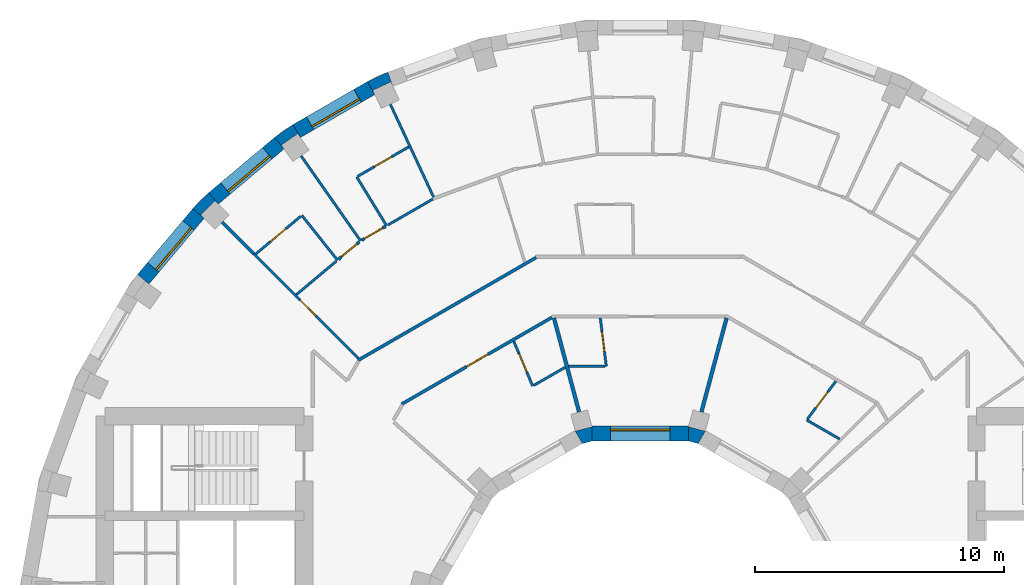
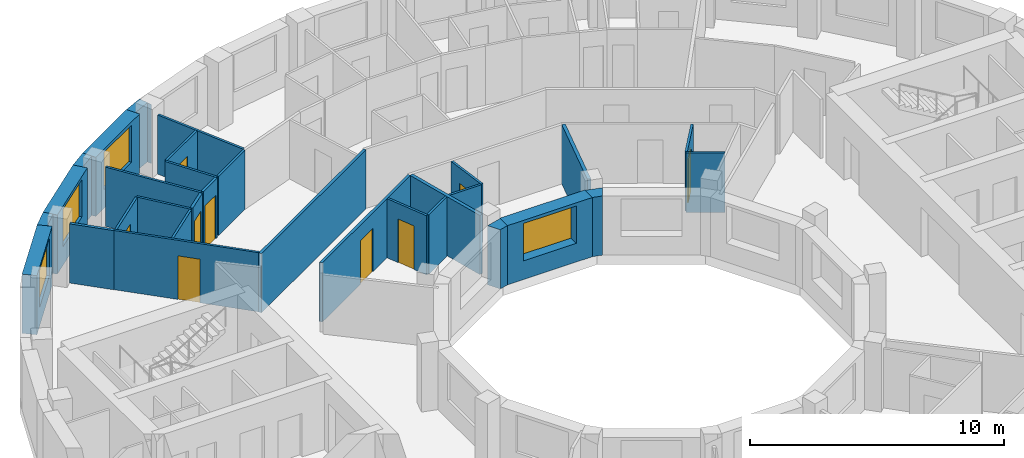
# One storey, part 11 of 15: 31 walls, 9 doors, 4 windows, 13 openings.
"""IFC4 building model written with IfcOpenShell, lengths in metres."""

from ifc_helpers import new_model, si_unit, direction, frame, frame_2d, origin, place, context, subcontext, project, spatial, polyline, rectangle, outline, extrude, material, layer, layer_set, type_object, element, fill, save


model = new_model("IFC4")

# Units and contexts
model_context = context("Model", 3, precision=1e-05, world=origin(), true_north=direction((0.0, 1.0)))
body_context = subcontext(model_context, "Body", "Model", "MODEL_VIEW")
ifc_project = project(units=[si_unit("LENGTHUNIT", "METRE"), si_unit("AREAUNIT", "SQUARE_METRE"), si_unit("VOLUMEUNIT", "CUBIC_METRE"), si_unit("PLANEANGLEUNIT", "RADIAN"), si_unit("MASSUNIT", "GRAM", prefix="KILO")], contexts=[model_context])

# Site, building, storey
site_placement = place(None, origin())
site = spatial("IfcSite", under=ifc_project, at=site_placement, CompositionType="ELEMENT")
building_placement = place(site_placement, origin())
building = spatial("IfcBuilding", under=site, at=building_placement, Name="Saqina Gate Tower", CompositionType="ELEMENT")
storey_placement = place(building_placement, frame((0.0, 0.0, 160.800048828125)))
storey = spatial("IfcBuildingStorey", under=building, at=storey_placement, Name="L45", CompositionType="ELEMENT", Elevation=160.800048828125)

# Walls
ifc_material_1 = material(Name="Brick masonry (buff)", Category="masonry")
wall_type_1 = type_object("IfcWallType", Name="BRICK PIER COPING BUFF", PredefinedType="SOLIDWALL", material=ifc_material_1)
wall_1_placement = place(storey_placement, origin())
element("IfcWall", 1, at=wall_1_placement, inside=storey, type_object=wall_type_1, Name="Pier cap L45 column 12", PredefinedType="SOLIDWALL", context=body_context, shape_type="SweptSolid", body=[
    extrude(outline(polyline([(-10.958740234375, 22.4306640625), (-10.65869140625, 21.9111328125), (-10.73779296875, 22.080810546875), (-10.0126953125, 22.4189453125), (-9.93359375, 22.249267578125), (-10.138916015625, 22.81298828125), (-10.958740234375, 22.4306640625)])), origin(), (0.0, 0.0, 1.0), 2.849853515625),
])
wall_2_placement = place(storey_placement, origin())
element("IfcWall", 2, at=wall_2_placement, inside=storey, type_object=wall_type_1, Name="Pier cap L45 column 13", PredefinedType="SOLIDWALL", context=body_context, shape_type="SweptSolid", body=[
    extrude(outline(polyline([(-13.9462890625, 20.705810546875), (-14.687255859375, 20.18701171875), (-14.301513671875, 19.727294921875), (-14.408935546875, 19.880859375), (-13.753662109375, 20.339599609375), (-13.646240234375, 20.186279296875), (-13.9462890625, 20.705810546875)])), origin(), (0.0, 0.0, 1.0), 2.849853515625),
])
wall_3_placement = place(storey_placement, origin())
element("IfcWall", 3, at=wall_3_placement, inside=storey, type_object=wall_type_1, Name="Pier cap L45 column 14", PredefinedType="SOLIDWALL", context=body_context, shape_type="SweptSolid", body=[
    extrude(outline(polyline([(-17.969482421875, 17.329833984375), (-17.510009765625, 16.944091796875), (-17.642333984375, 17.07666015625), (-17.07666015625, 17.642333984375), (-16.944091796875, 17.510009765625), (-17.329833984375, 17.969482421875), (-17.969482421875, 17.329833984375)])), origin(), (0.0, 0.0, 1.0), 2.849853515625),
])

# Wall, opening, window
ifc_material_2 = material(Name="Brick masonry (buff)", Category="masonry")
ifc_layer_1 = layer(ifc_material_2, 0.60009765625)
ifc_layer_set_1 = layer_set([ifc_layer_1], Name="FW-BRICK-BUFF")
wall_type_2 = type_object("IfcWallType", Name="FW-BRICK-BUFF", PredefinedType="SOLIDWALL", material=ifc_layer_set_1)
wall_4_placement = place(storey_placement, frame((-10.80859375, 22.1708984375, 0.0), z_axis=(0.0, 0.0, 1.0), x_axis=(-0.86602648383, -0.499998129301, 0.0)))
wall_4 = element("IfcWall", 4, at=wall_4_placement, inside=storey, type_object=wall_type_2, Name="Facade wall L45 facet 12", PredefinedType="SOLIDWALL", context=body_context, shape_type="SweptSolid", body=[
    extrude(rectangle(XDim=3.44970703125, YDim=0.60009765625, at=frame_2d((1.724853515625, 0.0))), origin(), (0.0, 0.0, 1.0), 2.849853515625),
])
opening_1_placement = place(wall_4_placement, frame((0.625, 0.0, 0.89990234375)))
opening_1 = element("IfcOpeningElement", 5, at=opening_1_placement, cuts=wall_4, Name="Opening G13-W10", PredefinedType="OPENING", context=body_context, shape_type="SweptSolid", body=[
    extrude(rectangle(XDim=2.199951171875, YDim=1.800048828125, at=frame_2d((1.10009765625, 0.89990234375))), frame((0.0, 0.31201171875, 0.0), z_axis=(0.0, -1.0, 0.0), x_axis=(1.0, 0.0, 0.0)), (0.0, 0.0, 1.0), 0.6240234375),
])
ifc_material_3 = material(Name="Aluminium glazing", Category="aluminium")
window_type_1 = type_object("IfcWindowType", Name="WN-C", PartitioningType="SINGLE_PANEL", PredefinedType="WINDOW", material=ifc_material_3)
window_1_placement = place(opening_1_placement, origin())
window_1 = element("IfcWindow", 6, at=window_1_placement, inside=storey, type_object=window_type_1, Name="Window L45 facet 12", OverallHeight=1.800048828125, OverallWidth=2.199951171875, PartitioningType="SINGLE_PANEL", PredefinedType="WINDOW", context=body_context, shape_type="SweptSolid", body=[
    extrude(rectangle(XDim=2.199951171875, YDim=1.800048828125, at=frame_2d((1.10009765625, 0.89990234375))), frame((0.0, 0.179931640625, 0.0), z_axis=(0.0, -1.0, 0.0), x_axis=(1.0, 0.0, 0.0)), (0.0, 0.0, 1.0), 0.06005859375),
])
fill(opening_1, window_1)

wall_5_placement = place(storey_placement, frame((-14.494384765625, 19.95703125, 0.0), z_axis=(0.0, 0.0, 1.0), x_axis=(-0.766058884809, -0.642770398358, 0.0)))
wall_5 = element("IfcWall", 7, at=wall_5_placement, inside=storey, type_object=wall_type_2, Name="Facade wall L45 facet 13", PredefinedType="SOLIDWALL", context=body_context, shape_type="SweptSolid", body=[
    extrude(rectangle(XDim=3.449462890625, YDim=0.60009765625, at=frame_2d((1.724609375, 0.0))), origin(), (0.0, 0.0, 1.0), 2.849853515625),
])
opening_2_placement = place(wall_5_placement, frame((0.625, 0.0, 0.89990234375)))
opening_2 = element("IfcOpeningElement", 8, at=opening_2_placement, cuts=wall_5, Name="Opening G13-W11", PredefinedType="OPENING", context=body_context, shape_type="SweptSolid", body=[
    extrude(rectangle(XDim=2.199951171875, YDim=1.800048828125, at=frame_2d((1.10009765625, 0.89990234375))), frame((0.0, 0.31201171875, 0.0), z_axis=(0.0, -1.0, 0.0), x_axis=(1.0, 0.0, 0.0)), (0.0, 0.0, 1.0), 0.6240234375),
])
window_2_placement = place(opening_2_placement, origin())
window_2 = element("IfcWindow", 9, at=window_2_placement, inside=storey, type_object=window_type_1, Name="Window L45 facet 13", OverallHeight=1.800048828125, OverallWidth=2.199951171875, PartitioningType="SINGLE_PANEL", PredefinedType="WINDOW", context=body_context, shape_type="SweptSolid", body=[
    extrude(rectangle(XDim=2.199951171875, YDim=1.800048828125, at=frame_2d((1.10009765625, 0.89990234375))), frame((0.0, 0.179931640625, 0.0), z_axis=(0.0, -1.0, 0.0), x_axis=(1.0, 0.0, 0.0)), (0.0, 0.0, 1.0), 0.06005859375),
])
fill(opening_2, window_2)

wall_6_placement = place(storey_placement, frame((-17.73974609375, 17.136962890625, 0.0), z_axis=(0.0, 0.0, 1.0), x_axis=(-0.642770398358, -0.766058884809, 0.0)))
wall_6 = element("IfcWall", 10, at=wall_6_placement, inside=storey, type_object=wall_type_2, Name="Facade wall L45 facet 14", PredefinedType="SOLIDWALL", context=body_context, shape_type="SweptSolid", body=[
    extrude(rectangle(XDim=3.449462890625, YDim=0.60009765625, at=frame_2d((1.724609375, 0.0))), origin(), (0.0, 0.0, 1.0), 2.849853515625),
])
opening_3_placement = place(wall_6_placement, frame((0.625, 0.0, 0.89990234375)))
opening_3 = element("IfcOpeningElement", 11, at=opening_3_placement, cuts=wall_6, Name="Opening G13-W12", PredefinedType="OPENING", context=body_context, shape_type="SweptSolid", body=[
    extrude(rectangle(XDim=2.199951171875, YDim=1.800048828125, at=frame_2d((1.10009765625, 0.89990234375))), frame((0.0, 0.31201171875, 0.0), z_axis=(0.0, -1.0, 0.0), x_axis=(1.0, 0.0, 0.0)), (0.0, 0.0, 1.0), 0.6240234375),
])
window_3_placement = place(opening_3_placement, origin())
window_3 = element("IfcWindow", 12, at=window_3_placement, inside=storey, type_object=window_type_1, Name="Window L45 facet 14", OverallHeight=1.800048828125, OverallWidth=2.199951171875, PartitioningType="SINGLE_PANEL", PredefinedType="WINDOW", context=body_context, shape_type="SweptSolid", body=[
    extrude(rectangle(XDim=2.199951171875, YDim=1.800048828125, at=frame_2d((1.10009765625, 0.89990234375))), frame((0.0, 0.179931640625, 0.0), z_axis=(0.0, -1.0, 0.0), x_axis=(1.0, 0.0, 0.0)), (0.0, 0.0, 1.0), 0.06005859375),
])
fill(opening_3, window_3)

ifc_material_4 = material(Name="Glazed ceramic tile", Category="ceramic")
ifc_layer_2 = layer(ifc_material_4, 0.60009765625)
ifc_layer_set_2 = layer_set([ifc_layer_2], Name="IW-TILE")
wall_type_3 = type_object("IfcWallType", Name="IW-TILE", PredefinedType="SOLIDWALL", material=ifc_layer_set_2)
wall_7_placement = place(storey_placement, frame((1.934814453125, 8.300048828125, 0.0), z_axis=(0.0, 0.0, 1.0), x_axis=(-1.0, 0.0, 0.0)))
wall_7 = element("IfcWall", 13, at=wall_7_placement, inside=storey, type_object=wall_type_3, Name="Well wall L45 facet 3", PredefinedType="SOLIDWALL", context=body_context, shape_type="SweptSolid", body=[
    extrude(rectangle(XDim=3.86962890625, YDim=0.60009765625, at=frame_2d((1.934814453125, 0.0))), origin(), (0.0, 0.0, 1.0), 2.849853515625),
])
opening_4_placement = place(wall_7_placement, frame((0.73486328125, 0.0, 0.89990234375)))
opening_4 = element("IfcOpeningElement", 14, at=opening_4_placement, cuts=wall_7, Name="Opening G13-W25", PredefinedType="OPENING", context=body_context, shape_type="SweptSolid", body=[
    extrude(rectangle(XDim=2.39990234375, YDim=1.800048828125, at=frame_2d((1.199951171875, 0.89990234375))), frame((0.0, 0.31201171875, 0.0), z_axis=(0.0, -1.0, 0.0), x_axis=(1.0, 0.0, 0.0)), (0.0, 0.0, 1.0), 0.6240234375),
])
ifc_material_5 = material(Name="Aluminium glazing", Category="aluminium")
window_type_2 = type_object("IfcWindowType", Name="WN-W", PartitioningType="SINGLE_PANEL", PredefinedType="WINDOW", material=ifc_material_5)
window_4_placement = place(opening_4_placement, origin())
window_4 = element("IfcWindow", 15, at=window_4_placement, inside=storey, type_object=window_type_2, Name="Well window L45 facet 3", OverallHeight=1.800048828125, OverallWidth=2.39990234375, PartitioningType="SINGLE_PANEL", PredefinedType="WINDOW", context=body_context, shape_type="SweptSolid", body=[
    extrude(rectangle(XDim=2.39990234375, YDim=1.800048828125, at=frame_2d((1.199951171875, 0.89990234375))), frame((0.0, -0.119873046875, 0.0), z_axis=(0.0, -1.0, 0.0), x_axis=(1.0, 0.0, 0.0)), (0.0, 0.0, 1.0), 0.06005859375),
])
fill(opening_4, window_4)

# Wall, opening, door
ifc_material_6 = material(Name="Gypsum board on steel studs, 100 mm", Category="steel")
ifc_layer_3 = layer(ifc_material_6, 0.10009765625)
ifc_layer_set_3 = layer_set([ifc_layer_3], Name="PARTITION 100")
wall_type_4 = type_object("IfcWallType", Name="PARTITION 100", PredefinedType="PARTITIONING", material=ifc_layer_set_3)
wall_8_placement = place(storey_placement, frame((-1.604248046875, 12.93798828125, 0.0), z_axis=(0.0, 0.0, 1.0), x_axis=(0.123019127117, -0.992404299851, 0.0)))
wall_8 = element("IfcWall", 16, at=wall_8_placement, inside=storey, type_object=wall_type_4, Name="PARTITION PW3-04", PredefinedType="PARTITIONING", context=body_context, shape_type="SweptSolid", body=[
    extrude(rectangle(XDim=1.952880859375, YDim=0.10009765625, at=frame_2d((0.9765625, 0.0))), origin(), (0.0, 0.0, 1.0), 2.849853515625),
])
opening_5_placement = place(wall_8_placement, frame((0.545166015625, 0.0, 0.0)))
opening_5 = element("IfcOpeningElement", 17, at=opening_5_placement, cuts=wall_8, Name="Opening G13-D16", PredefinedType="OPENING", context=body_context, shape_type="SweptSolid", body=[
    extrude(rectangle(XDim=0.800048828125, YDim=2.10009765625, at=frame_2d((0.39990234375, 1.050048828125))), frame((0.0, 0.06201171875, 0.0), z_axis=(0.0, -1.0, 0.0), x_axis=(1.0, 0.0, 0.0)), (0.0, 0.0, 1.0), 0.1240234375),
])
ifc_material_7 = material(Name="Timber door leaf, 800 mm", Category="wood")
door_type_1 = type_object("IfcDoorType", Name="DOOR 800 TIMBER", OperationType="SINGLE_SWING_LEFT", PredefinedType="DOOR", material=ifc_material_7)
door_1_placement = place(opening_5_placement, origin())
door_1 = element("IfcDoor", 18, at=door_1_placement, inside=storey, type_object=door_type_1, Name="DOOR G13-D16", OperationType="SINGLE_SWING_LEFT", OverallHeight=2.10009765625, OverallWidth=0.800048828125, PredefinedType="DOOR", context=body_context, shape_type="SweptSolid", body=[
    extrude(rectangle(XDim=0.800048828125, YDim=2.10009765625, at=frame_2d((0.39990234375, 1.050048828125))), frame((0.0, 0.02490234375, 0.0), z_axis=(0.0, -1.0, 0.0), x_axis=(1.0, 0.0, 0.0)), (0.0, 0.0, 1.0), 0.050048828125),
])
fill(opening_5, door_1)

wall_9_placement = place(storey_placement, frame((-5.07958984375, 12.00634765625, 0.0), z_axis=(0.0, 0.0, 1.0), x_axis=(0.389493140841, -0.92102936611, 0.0)))
wall_9 = element("IfcWall", 19, at=wall_9_placement, inside=storey, type_object=wall_type_4, Name="PARTITION PW3-08", PredefinedType="PARTITIONING", context=body_context, shape_type="SweptSolid", body=[
    extrude(rectangle(XDim=1.95263671875, YDim=0.10009765625, at=frame_2d((0.976318359375, 0.0))), origin(), (0.0, 0.0, 1.0), 2.849853515625),
])
opening_6_placement = place(wall_9_placement, frame((0.545166015625, 0.0, 0.0)))
opening_6 = element("IfcOpeningElement", 20, at=opening_6_placement, cuts=wall_9, Name="Opening G13-D20", PredefinedType="OPENING", context=body_context, shape_type="SweptSolid", body=[
    extrude(rectangle(XDim=0.800048828125, YDim=2.10009765625, at=frame_2d((0.39990234375, 1.050048828125))), frame((0.0, 0.06201171875, 0.0), z_axis=(0.0, -1.0, 0.0), x_axis=(1.0, 0.0, 0.0)), (0.0, 0.0, 1.0), 0.1240234375),
])
door_2_placement = place(opening_6_placement, frame((0.800048828125, 0.0, 0.0), z_axis=(0.0, 0.0, 1.0), x_axis=(-1.0, 0.0, 0.0)))
door_2 = element("IfcDoor", 21, at=door_2_placement, inside=storey, type_object=door_type_1, Name="DOOR G13-D20", OperationType="SINGLE_SWING_RIGHT", OverallHeight=2.10009765625, OverallWidth=0.800048828125, PredefinedType="DOOR", context=body_context, shape_type="SweptSolid", body=[
    extrude(rectangle(XDim=0.800048828125, YDim=2.10009765625, at=frame_2d((0.39990234375, 1.050048828125))), frame((0.0, 0.02490234375, 0.0), z_axis=(0.0, -1.0, 0.0), x_axis=(1.0, 0.0, 0.0)), (0.0, 0.0, 1.0), 0.050048828125),
])
fill(opening_6, door_2)

# Walls
wall_10_placement = place(storey_placement, frame((-10.032470703125, 21.51611328125, 0.0), z_axis=(0.0, 0.0, 1.0), x_axis=(0.422407439585, -0.906406065173, 0.0)))
element("IfcWall", 22, at=wall_10_placement, inside=storey, type_object=wall_type_4, Name="PARTITION PW3-09", PredefinedType="PARTITIONING", context=body_context, shape_type="SweptSolid", body=[
    extrude(rectangle(XDim=4.110595703125, YDim=0.10009765625, at=frame_2d((2.05517578125, 0.0))), origin(), (0.0, 0.0, 1.0), 2.849853515625),
])
wall_11_placement = place(storey_placement, frame((-11.385009765625, 18.60498046875, 0.0), z_axis=(0.0, 0.0, 1.0), x_axis=(0.522076659847, -0.852898564451, 0.0)))
element("IfcWall", 23, at=wall_11_placement, inside=storey, type_object=wall_type_4, Name="PARTITION PW3-11", PredefinedType="PARTITIONING", context=body_context, shape_type="SweptSolid", body=[
    extrude(rectangle(XDim=2.30029296875, YDim=0.10009765625, at=frame_2d((1.150146484375, 0.0))), origin(), (0.0, 0.0, 1.0), 2.849853515625),
])
wall_12_placement = place(storey_placement, frame((-13.616943359375, 19.446533203125, 0.0), z_axis=(0.0, 0.0, 1.0), x_axis=(0.573631652668, -0.819113378634, 0.0)))
element("IfcWall", 24, at=wall_12_placement, inside=storey, type_object=wall_type_4, Name="PARTITION PW3-13", PredefinedType="PARTITIONING", context=body_context, shape_type="SweptSolid", body=[
    extrude(rectangle(XDim=4.1611328125, YDim=0.10009765625, at=frame_2d((2.08056640625, 0.0))), origin(), (0.0, 0.0, 1.0), 2.849853515625),
])
wall_13_placement = place(storey_placement, frame((-13.589111328125, 17.06103515625, 0.0), z_axis=(0.0, 0.0, 1.0), x_axis=(0.623062698495, -0.782171895266, 0.0)))
element("IfcWall", 25, at=wall_13_placement, inside=storey, type_object=wall_type_4, Name="PARTITION PW3-15", PredefinedType="PARTITIONING", context=body_context, shape_type="SweptSolid", body=[
    extrude(rectangle(XDim=2.300048828125, YDim=0.10009765625, at=frame_2d((1.14990234375, 0.0))), origin(), (0.0, 0.0, 1.0), 2.849853515625),
])

# Wall, opening, door
wall_14_placement = place(storey_placement, frame((-15.51220703125, 15.51220703125, 0.0), z_axis=(0.0, 0.0, 1.0), x_axis=(0.707106781187, -0.707106781187, 0.0)))
wall_14 = element("IfcWall", 26, at=wall_14_placement, inside=storey, type_object=wall_type_4, Name="PARTITION PW3-18", PredefinedType="PARTITIONING", context=body_context, shape_type="SweptSolid", body=[
    extrude(rectangle(XDim=5.931396484375, YDim=0.10009765625, at=frame_2d((2.9658203125, 0.0))), origin(), (0.0, 0.0, 1.0), 2.849853515625),
])
opening_7_placement = place(wall_14_placement, frame((2.6171875, 0.0, 0.0)))
opening_7 = element("IfcOpeningElement", 27, at=opening_7_placement, cuts=wall_14, Name="Opening G13-D26", PredefinedType="OPENING", context=body_context, shape_type="SweptSolid", body=[
    extrude(rectangle(XDim=0.89990234375, YDim=2.10009765625, at=frame_2d((0.449951171875, 1.050048828125))), frame((0.0, 0.06201171875, 0.0), z_axis=(0.0, -1.0, 0.0), x_axis=(1.0, 0.0, 0.0)), (0.0, 0.0, 1.0), 0.1240234375),
])
ifc_material_8 = material(Name="Timber door leaf, 900 mm", Category="wood")
door_type_2 = type_object("IfcDoorType", Name="DOOR 900 TIMBER", OperationType="SINGLE_SWING_LEFT", PredefinedType="DOOR", material=ifc_material_8)
door_3_placement = place(opening_7_placement, frame((0.89990234375, 0.0, 0.0), z_axis=(0.0, 0.0, 1.0), x_axis=(-1.0, 0.0, 0.0)))
door_3 = element("IfcDoor", 28, at=door_3_placement, inside=storey, type_object=door_type_2, Name="DOOR G13-D26", OperationType="SINGLE_SWING_LEFT", OverallHeight=2.10009765625, OverallWidth=0.89990234375, PredefinedType="DOOR", context=body_context, shape_type="SweptSolid", body=[
    extrude(rectangle(XDim=0.89990234375, YDim=2.10009765625, at=frame_2d((0.449951171875, 1.050048828125))), frame((0.0, 0.02490234375, 0.0), z_axis=(0.0, -1.0, 0.0), x_axis=(1.0, 0.0, 0.0)), (0.0, 0.0, 1.0), 0.050048828125),
])
fill(opening_7, door_3)

# Walls
wall_15_placement = place(storey_placement, frame((6.680908203125, 8.843994140625, 0.0), z_axis=(0.0, 0.0, 1.0), x_axis=(0.866336585673, -0.499460629403, 0.0)))
element("IfcWall", 29, at=wall_15_placement, inside=storey, type_object=wall_type_4, Name="PARTITION PW3-24", PredefinedType="PARTITIONING", context=body_context, shape_type="SweptSolid", body=[
    extrude(rectangle(XDim=1.533935546875, YDim=0.10009765625, at=frame_2d((0.76708984375, 0.0))), origin(), (0.0, 0.0, 1.0), 2.849853515625),
])
wall_16_placement = place(storey_placement, frame((-2.8720703125, 11.0, 0.0), z_axis=(0.0, 0.0, 1.0), x_axis=(1.0, 0.0, 0.0)))
element("IfcWall", 30, at=wall_16_placement, inside=storey, type_object=wall_type_4, Name="PARTITION PW3-34", PredefinedType="PARTITIONING", context=body_context, shape_type="SweptSolid", body=[
    extrude(rectangle(XDim=1.4580078125, YDim=0.10009765625, at=frame_2d((0.72900390625, 0.0))), origin(), (0.0, 0.0, 1.0), 2.849853515625),
])
wall_17_placement = place(storey_placement, frame((-4.275634765625, 10.23291015625, 0.0), z_axis=(0.0, 0.0, 1.0), x_axis=(0.866051847062, 0.499954196102, 0.0)))
element("IfcWall", 31, at=wall_17_placement, inside=storey, type_object=wall_type_4, Name="PARTITION PW3-44", PredefinedType="PARTITIONING", context=body_context, shape_type="SweptSolid", body=[
    extrude(rectangle(XDim=1.459228515625, YDim=0.10009765625, at=frame_2d((0.7294921875, 0.0))), origin(), (0.0, 0.0, 1.0), 2.849853515625),
])
wall_18_placement = place(storey_placement, frame((-10.1298828125, 16.67431640625, 0.0), z_axis=(0.0, 0.0, 1.0), x_axis=(0.866052632827, 0.499952834948, 0.0)))
element("IfcWall", 32, at=wall_18_placement, inside=storey, type_object=wall_type_4, Name="PARTITION PW3-45", PredefinedType="PARTITIONING", context=body_context, shape_type="SweptSolid", body=[
    extrude(rectangle(XDim=2.079345703125, YDim=0.10009765625, at=frame_2d((1.03955078125, 0.0))), origin(), (0.0, 0.0, 1.0), 2.849853515625),
])

# Wall, opening, door
wall_19_placement = place(storey_placement, frame((-11.341796875, 18.6298828125, 0.0), z_axis=(0.0, 0.0, 1.0), x_axis=(0.866139183788, 0.49980287545, 0.0)))
wall_19 = element("IfcWall", 33, at=wall_19_placement, inside=storey, type_object=wall_type_4, Name="PARTITION PW3-46", PredefinedType="PARTITIONING", context=body_context, shape_type="SweptSolid", body=[
    extrude(rectangle(XDim=2.365234375, YDim=0.10009765625, at=frame_2d((1.1826171875, 0.0))), origin(), (0.0, 0.0, 1.0), 2.849853515625),
])
opening_8_placement = place(wall_19_placement, frame((0.782470703125, 0.0, 0.0)))
opening_8 = element("IfcOpeningElement", 34, at=opening_8_placement, cuts=wall_19, Name="Opening G13-D21", PredefinedType="OPENING", context=body_context, shape_type="SweptSolid", body=[
    extrude(rectangle(XDim=0.800048828125, YDim=2.10009765625, at=frame_2d((0.39990234375, 1.050048828125))), frame((0.0, 0.06201171875, 0.0), z_axis=(0.0, -1.0, 0.0), x_axis=(1.0, 0.0, 0.0)), (0.0, 0.0, 1.0), 0.1240234375),
])
door_4_placement = place(opening_8_placement, origin())
door_4 = element("IfcDoor", 35, at=door_4_placement, inside=storey, type_object=door_type_1, Name="DOOR G13-D21", OperationType="SINGLE_SWING_RIGHT", OverallHeight=2.10009765625, OverallWidth=0.800048828125, PredefinedType="DOOR", context=body_context, shape_type="SweptSolid", body=[
    extrude(rectangle(XDim=0.800048828125, YDim=2.10009765625, at=frame_2d((0.39990234375, 1.050048828125))), frame((0.0, 0.02490234375, 0.0), z_axis=(0.0, -1.0, 0.0), x_axis=(1.0, 0.0, 0.0)), (0.0, 0.0, 1.0), 0.050048828125),
])
fill(opening_8, door_4)

# Wall
wall_20_placement = place(storey_placement, frame((-13.806396484375, 13.87744140625, 0.0), z_axis=(0.0, 0.0, 1.0), x_axis=(0.766093288455, 0.64272939359, 0.0)))
element("IfcWall", 36, at=wall_20_placement, inside=storey, type_object=wall_type_4, Name="PARTITION PW3-50", PredefinedType="PARTITIONING", context=body_context, shape_type="SweptSolid", body=[
    extrude(rectangle(XDim=2.091796875, YDim=0.10009765625, at=frame_2d((1.0458984375, 0.0))), origin(), (0.0, 0.0, 1.0), 2.849853515625),
])

# Wall, opening, door
wall_21_placement = place(storey_placement, frame((-15.4375, 15.510009765625, 0.0), z_axis=(0.0, 0.0, 1.0), x_axis=(0.766091436164, 0.642731601399, 0.0)))
wall_21 = element("IfcWall", 37, at=wall_21_placement, inside=storey, type_object=wall_type_4, Name="PARTITION PW3-51", PredefinedType="PARTITIONING", context=body_context, shape_type="SweptSolid", body=[
    extrude(rectangle(XDim=2.363037109375, YDim=0.10009765625, at=frame_2d((1.181640625, 0.0))), origin(), (0.0, 0.0, 1.0), 2.849853515625),
])
opening_9_placement = place(wall_21_placement, frame((0.78076171875, 0.0, 0.0)))
opening_9 = element("IfcOpeningElement", 38, at=opening_9_placement, cuts=wall_21, Name="Opening G13-D25", PredefinedType="OPENING", context=body_context, shape_type="SweptSolid", body=[
    extrude(rectangle(XDim=0.800048828125, YDim=2.10009765625, at=frame_2d((0.39990234375, 1.050048828125))), frame((0.0, 0.06201171875, 0.0), z_axis=(0.0, -1.0, 0.0), x_axis=(1.0, 0.0, 0.0)), (0.0, 0.0, 1.0), 0.1240234375),
])
door_5_placement = place(opening_9_placement, origin())
door_5 = element("IfcDoor", 39, at=door_5_placement, inside=storey, type_object=door_type_1, Name="DOOR G13-D25", OperationType="SINGLE_SWING_LEFT", OverallHeight=2.10009765625, OverallWidth=0.800048828125, PredefinedType="DOOR", context=body_context, shape_type="SweptSolid", body=[
    extrude(rectangle(XDim=0.800048828125, YDim=2.10009765625, at=frame_2d((0.39990234375, 1.050048828125))), frame((0.0, 0.02490234375, 0.0), z_axis=(0.0, -1.0, 0.0), x_axis=(1.0, 0.0, 0.0)), (0.0, 0.0, 1.0), 0.050048828125),
])
fill(opening_9, door_5)

wall_22_placement = place(storey_placement, frame((6.711181640625, 8.8837890625, 0.0), z_axis=(0.0, 0.0, 1.0), x_axis=(0.602582661098, 0.798056474533, 0.0)))
wall_22 = element("IfcWall", 40, at=wall_22_placement, inside=storey, type_object=wall_type_4, Name="PARTITION PW3-53", PredefinedType="PARTITIONING", context=body_context, shape_type="SweptSolid", body=[
    extrude(rectangle(XDim=1.9033203125, YDim=0.10009765625, at=frame_2d((0.95166015625, 0.0))), origin(), (0.0, 0.0, 1.0), 2.849853515625),
])
opening_10_placement = place(wall_22_placement, frame((0.55810546875, 0.0, 0.0)))
opening_10 = element("IfcOpeningElement", 41, at=opening_10_placement, cuts=wall_22, Name="Opening G13-D03", PredefinedType="OPENING", context=body_context, shape_type="SweptSolid", body=[
    extrude(rectangle(XDim=0.800048828125, YDim=2.10009765625, at=frame_2d((0.39990234375, 1.050048828125))), frame((0.0, 0.06201171875, 0.0), z_axis=(0.0, -1.0, 0.0), x_axis=(1.0, 0.0, 0.0)), (0.0, 0.0, 1.0), 0.1240234375),
])
door_6_placement = place(opening_10_placement, origin())
door_6 = element("IfcDoor", 42, at=door_6_placement, inside=storey, type_object=door_type_1, Name="DOOR G13-D03", OperationType="SINGLE_SWING_RIGHT", OverallHeight=2.10009765625, OverallWidth=0.800048828125, PredefinedType="DOOR", context=body_context, shape_type="SweptSolid", body=[
    extrude(rectangle(XDim=0.800048828125, YDim=2.10009765625, at=frame_2d((0.39990234375, 1.050048828125))), frame((0.0, 0.02490234375, 0.0), z_axis=(0.0, -1.0, 0.0), x_axis=(1.0, 0.0, 0.0)), (0.0, 0.0, 1.0), 0.050048828125),
])
fill(opening_10, door_6)

# Wall
ifc_material_9 = material(Name="Gypsum board on steel studs, 125 mm, fire rated", Category="steel")
ifc_layer_4 = layer(ifc_material_9, 0.125)
ifc_layer_set_4 = layer_set([ifc_layer_4], Name="PARTITION EI 30 125")
wall_type_5 = type_object("IfcWallType", Name="PARTITION EI 30 125", PredefinedType="PARTITIONING", material=ifc_layer_set_4)
wall_23_placement = place(storey_placement, frame((-16.78662109375, 16.78662109375, 0.0), z_axis=(0.0, 0.0, 1.0), x_axis=(0.707106781187, -0.707106781187, 0.0)))
element("IfcWall", 43, at=wall_23_placement, inside=storey, type_object=wall_type_5, Name="PARTITION PW1-05", PredefinedType="PARTITIONING", context=body_context, shape_type="SweptSolid", body=[
    extrude(rectangle(XDim=1.80224609375, YDim=0.125, at=frame_2d((0.901123046875, 0.0))), origin(), (0.0, 0.0, 1.0), 2.849853515625),
])

# Wall, opening, door
wall_24_placement = place(storey_placement, frame((-9.57958984375, 9.48095703125, 0.0), z_axis=(0.0, 0.0, 1.0), x_axis=(0.866086354705, 0.499894415045, 0.0)))
wall_24 = element("IfcWall", 44, at=wall_24_placement, inside=storey, type_object=wall_type_5, Name="PARTITION PW1-26", PredefinedType="PARTITIONING", context=body_context, shape_type="SweptSolid", body=[
    extrude(rectangle(XDim=6.96435546875, YDim=0.125, at=frame_2d((3.482177734375, 0.0))), origin(), (0.0, 0.0, 1.0), 2.849853515625),
])
opening_11_placement = place(wall_24_placement, frame((3.0048828125, 0.0, 0.0)))
opening_11 = element("IfcOpeningElement", 45, at=opening_11_placement, cuts=wall_24, Name="Opening G13-D22", PredefinedType="OPENING", context=body_context, shape_type="SweptSolid", body=[
    extrude(rectangle(XDim=1.0, YDim=2.10009765625, at=frame_2d((0.5, 1.050048828125))), frame((0.0, 0.074462890625, 0.0), z_axis=(0.0, -1.0, 0.0), x_axis=(1.0, 0.0, 0.0)), (0.0, 0.0, 1.0), 0.14892578125),
])
ifc_material_10 = material(Name="Fire door leaf EI 30, 1000 mm")
door_type_3 = type_object("IfcDoorType", Name="DOOR 1000 EI 30", OperationType="SINGLE_SWING_LEFT", PredefinedType="DOOR", material=ifc_material_10)
door_7_placement = place(opening_11_placement, frame((1.0, 0.0, 0.0), z_axis=(0.0, 0.0, 1.0), x_axis=(-1.0, 0.0, 0.0)))
door_7 = element("IfcDoor", 46, at=door_7_placement, inside=storey, type_object=door_type_3, Name="DOOR G13-D22", OperationType="SINGLE_SWING_LEFT", OverallHeight=2.10009765625, OverallWidth=1.0, PredefinedType="DOOR", context=body_context, shape_type="SweptSolid", body=[
    extrude(rectangle(XDim=1.0, YDim=2.10009765625, at=frame_2d((0.5, 1.050048828125))), frame((0.0, 0.02490234375, 0.0), z_axis=(0.0, -1.0, 0.0), x_axis=(1.0, 0.0, 0.0)), (0.0, 0.0, 1.0), 0.050048828125),
])
fill(opening_11, door_7)

# Wall
wall_25_placement = place(storey_placement, frame((-11.33642578125, 11.23779296875, 0.0), z_axis=(0.0, 0.0, 1.0), x_axis=(0.866067506982, 0.499927068031, 0.0)))
element("IfcWall", 47, at=wall_25_placement, inside=storey, type_object=wall_type_5, Name="PARTITION PW1-27", PredefinedType="PARTITIONING", context=body_context, shape_type="SweptSolid", body=[
    extrude(rectangle(XDim=8.262939453125, YDim=0.125, at=frame_2d((4.13134765625, 0.0))), origin(), (0.0, 0.0, 1.0), 2.849853515625),
])

# Wall, opening, door
wall_26_placement = place(storey_placement, frame((-11.186767578125, 16.06298828125, 0.0), z_axis=(0.0, 0.0, 1.0), x_axis=(0.865888396158, 0.500237229121, 0.0)))
wall_26 = element("IfcWall", 48, at=wall_26_placement, inside=storey, type_object=wall_type_5, Name="PARTITION PW1-28", PredefinedType="PARTITIONING", context=body_context, shape_type="SweptSolid", body=[
    extrude(rectangle(XDim=1.1083984375, YDim=0.125, at=frame_2d((0.55419921875, 0.0))), origin(), (0.0, 0.0, 1.0), 2.849853515625),
])
opening_12_placement = place(wall_26_placement, frame((0.129150390625, 0.0, 0.0)))
opening_12 = element("IfcOpeningElement", 49, at=opening_12_placement, cuts=wall_26, Name="Opening G13-D23", PredefinedType="OPENING", context=body_context, shape_type="SweptSolid", body=[
    extrude(rectangle(XDim=0.85009765625, YDim=2.10009765625, at=frame_2d((0.425048828125, 1.050048828125))), frame((0.0, 0.074462890625, 0.0), z_axis=(0.0, -1.0, 0.0), x_axis=(1.0, 0.0, 0.0)), (0.0, 0.0, 1.0), 0.14892578125),
])
ifc_material_11 = material(Name="Fire door leaf EI 30, 850 mm")
door_type_4 = type_object("IfcDoorType", Name="DOOR 850 EI 30", OperationType="SINGLE_SWING_LEFT", PredefinedType="DOOR", material=ifc_material_11)
door_8_placement = place(opening_12_placement, frame((0.85009765625, 0.0, 0.0), z_axis=(0.0, 0.0, 1.0), x_axis=(-1.0, 0.0, 0.0)))
door_8 = element("IfcDoor", 50, at=door_8_placement, inside=storey, type_object=door_type_4, Name="DOOR G13-D23", OperationType="SINGLE_SWING_RIGHT", OverallHeight=2.10009765625, OverallWidth=0.85009765625, PredefinedType="DOOR", context=body_context, shape_type="SweptSolid", body=[
    extrude(rectangle(XDim=0.85009765625, YDim=2.10009765625, at=frame_2d((0.425048828125, 1.050048828125))), frame((0.0, 0.02490234375, 0.0), z_axis=(0.0, -1.0, 0.0), x_axis=(1.0, 0.0, 0.0)), (0.0, 0.0, 1.0), 0.050048828125),
])
fill(opening_12, door_8)

wall_27_placement = place(storey_placement, frame((-12.1181640625, 15.29443359375, 0.0), z_axis=(0.0, 0.0, 1.0), x_axis=(0.766831623153, 0.641848316764, 0.0)))
wall_27 = element("IfcWall", 51, at=wall_27_placement, inside=storey, type_object=wall_type_5, Name="PARTITION PW1-29", PredefinedType="PARTITIONING", context=body_context, shape_type="SweptSolid", body=[
    extrude(rectangle(XDim=1.095947265625, YDim=0.125, at=frame_2d((0.5478515625, 0.0))), origin(), (0.0, 0.0, 1.0), 2.849853515625),
])
opening_13_placement = place(wall_27_placement, frame((0.154052734375, 0.0, 0.0)))
opening_13 = element("IfcOpeningElement", 52, at=opening_13_placement, cuts=wall_27, Name="Opening G13-D24", PredefinedType="OPENING", context=body_context, shape_type="SweptSolid", body=[
    extrude(rectangle(XDim=0.800048828125, YDim=2.10009765625, at=frame_2d((0.39990234375, 1.050048828125))), frame((0.0, 0.074462890625, 0.0), z_axis=(0.0, -1.0, 0.0), x_axis=(1.0, 0.0, 0.0)), (0.0, 0.0, 1.0), 0.14892578125),
])
ifc_material_12 = material(Name="Fire door leaf EI 30, 800 mm")
door_type_5 = type_object("IfcDoorType", Name="DOOR 800 EI 30", OperationType="SINGLE_SWING_LEFT", PredefinedType="DOOR", material=ifc_material_12)
door_9_placement = place(opening_13_placement, frame((0.800048828125, 0.0, 0.0), z_axis=(0.0, 0.0, 1.0), x_axis=(-1.0, 0.0, 0.0)))
door_9 = element("IfcDoor", 53, at=door_9_placement, inside=storey, type_object=door_type_5, Name="DOOR G13-D24", OperationType="SINGLE_SWING_LEFT", OverallHeight=2.10009765625, OverallWidth=0.800048828125, PredefinedType="DOOR", context=body_context, shape_type="SweptSolid", body=[
    extrude(rectangle(XDim=0.800048828125, YDim=2.10009765625, at=frame_2d((0.39990234375, 1.050048828125))), frame((0.0, 0.02490234375, 0.0), z_axis=(0.0, -1.0, 0.0), x_axis=(1.0, 0.0, 0.0)), (0.0, 0.0, 1.0), 0.050048828125),
])
fill(opening_13, door_9)

# Walls
ifc_material_13 = material(Name="Gypsum board on steel studs, 150 mm, fire rated", Category="steel")
ifc_layer_5 = layer(ifc_material_13, 0.14990234375)
ifc_layer_set_5 = layer_set([ifc_layer_5], Name="PARTITION EI 60 150")
wall_type_6 = type_object("IfcWallType", Name="PARTITION EI 60 150", PredefinedType="PARTITIONING", material=ifc_layer_set_5)
for number, where, z_axis, x_axis, name in (
    (54, (-3.46435546875, 12.940185546875, 0.0), (0.0, 0.0, 1.0), (0.258176450785, -0.966097779865, 0.0), "PARTITION PW2-01"),
    (55, (2.45703125, 9.168701171875, 0.0), (0.0, 0.0, 1.0), (0.258732959093, 0.965948888854, 0.0), "PARTITION PW2-05"),
):
    element("IfcWall", number, at=place(storey_placement, frame(where, z_axis=z_axis, x_axis=x_axis)), inside=storey, type_object=wall_type_6, Name=name, PredefinedType="PARTITIONING", context=body_context, shape_type="SweptSolid", body=[
        extrude(rectangle(XDim=3.903564453125, YDim=0.14990234375, at=frame_2d((1.95166015625, 0.0))), origin(), (0.0, 0.0, 1.0), 2.849853515625),
    ])
ifc_material_14 = material(Name="Glazed ceramic tile", Category="ceramic")
wall_type_7 = type_object("IfcWallType", Name="TILE PIER COPING", PredefinedType="SOLIDWALL", material=ifc_material_14)
wall_28_placement = place(storey_placement, origin())
element("IfcWall", 56, at=wall_28_placement, inside=storey, type_object=wall_type_7, Name="Well pier cap L45 column 3", PredefinedType="SOLIDWALL", context=body_context, shape_type="SweptSolid", body=[
    extrude(outline(polyline([(1.934814453125, 8.573486328125), (1.934814453125, 8.0), (2.32421875, 7.895751953125), (2.611083984375, 8.392333984375), (1.934814453125, 8.573486328125)])), origin(), (0.0, 0.0, 1.0), 2.849853515625),
])
wall_29_placement = place(storey_placement, origin())
element("IfcWall", 57, at=wall_29_placement, inside=storey, type_object=wall_type_7, Name="Well pier cap L45 column 4", PredefinedType="SOLIDWALL", context=body_context, shape_type="SweptSolid", body=[
    extrude(outline(polyline([(-1.934814453125, 8.0), (-1.934814453125, 8.573486328125), (-2.611083984375, 8.392333984375), (-2.32421875, 7.895751953125), (-1.934814453125, 8.0)])), origin(), (0.0, 0.0, 1.0), 2.849853515625),
])

save(model, "model.ifc")
